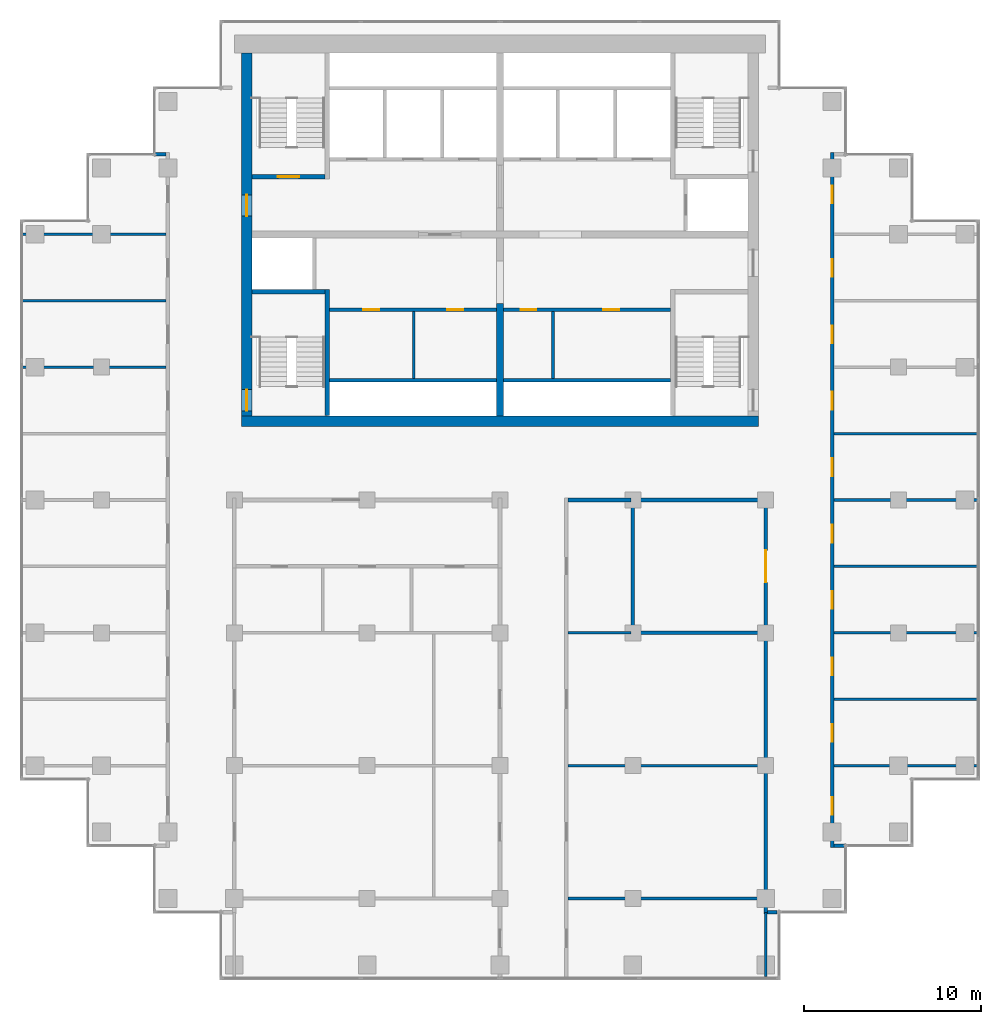
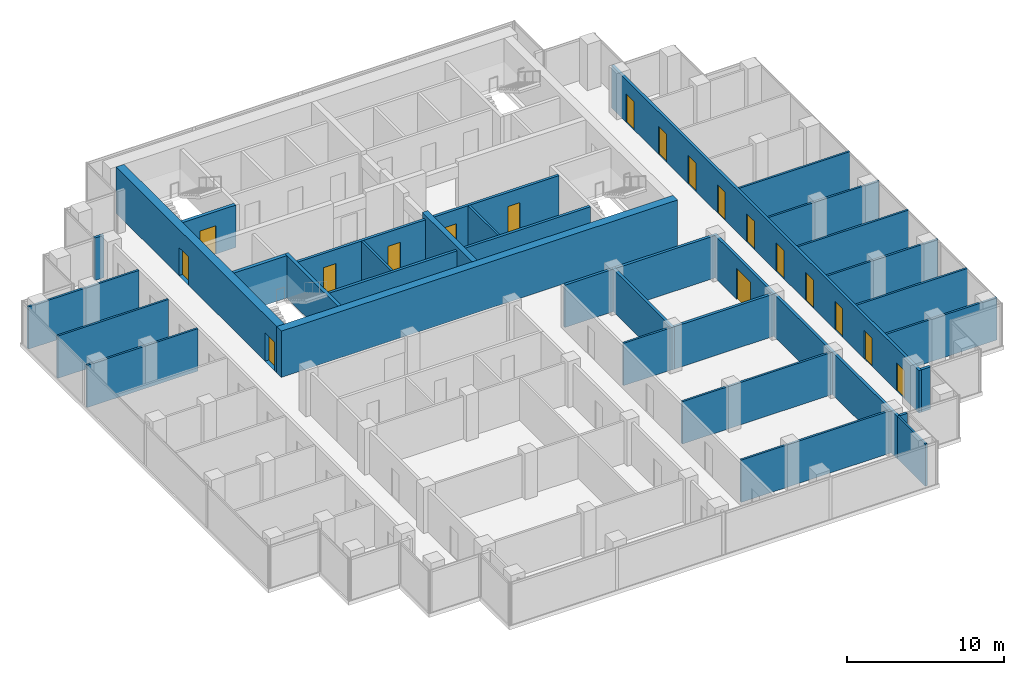
# One storey, part 9 of 12: 35 walls, 18 doors, 18 openings.
"""IFC4 building model written with IfcOpenShell, lengths in metres."""

from ifc_helpers import new_model, si_unit, direction, frame, frame_2d, origin, place, context, subcontext, project, spatial, rectangle, extrude, material, layer, layer_set, type_object, element, fill, save


model = new_model("IFC4")

# Units and contexts
model_context = context("Model", 3, precision=1e-05, world=origin(), true_north=direction((0.0, 1.0)))
body_context = subcontext(model_context, "Body", "Model", "MODEL_VIEW")
ifc_project = project(units=[si_unit("LENGTHUNIT", "METRE"), si_unit("AREAUNIT", "SQUARE_METRE"), si_unit("VOLUMEUNIT", "CUBIC_METRE"), si_unit("PLANEANGLEUNIT", "RADIAN"), si_unit("MASSUNIT", "GRAM", prefix="KILO")], contexts=[model_context])

# Site, building, storey
site_placement = place(None, origin())
site = spatial("IfcSite", under=ifc_project, at=site_placement, CompositionType="ELEMENT")
building_placement = place(site_placement, origin())
building = spatial("IfcBuilding", under=site, at=building_placement, Name="Pilkhan Gate Tower", CompositionType="ELEMENT")
storey_placement = place(building_placement, frame((0.0, 0.0, 188.699951171875)))
storey = spatial("IfcBuildingStorey", under=building, at=storey_placement, Name="L48", CompositionType="ELEMENT", Elevation=188.699951171875)

# Wall
ifc_material_1 = material(Name="Concrete C50/60", Category="concrete")
ifc_layer_1 = layer(ifc_material_1, 0.60009765625)
ifc_layer_set_1 = layer_set([ifc_layer_1], Name="Core wall CW600 C50/60")
wall_type_1 = type_object("IfcWallType", Name="Core wall CW600 C50/60", PredefinedType="SHEAR", material=ifc_layer_set_1)
wall_1_placement = place(storey_placement, frame((60.39990234375, 71.949951171875, 0.0), z_axis=(0.0, 0.0, 1.0), x_axis=(1.0, 0.0, 0.0)))
element("IfcWall", 1, at=wall_1_placement, inside=storey, type_object=wall_type_1, Name="Core wall S L48", PredefinedType="SHEAR", context=body_context, shape_type="SweptSolid", body=[
    extrude(rectangle(XDim=29.2001953125, YDim=0.60009765625, at=frame_2d((14.60009765625, 0.0))), origin(), (0.0, 0.0, 1.0), 3.60009765625),
])

# Wall, openings, doors
wall_2_placement = place(storey_placement, frame((60.699951171875, 92.75, 0.0), z_axis=(0.0, 0.0, 1.0), x_axis=(0.0, -1.0, 0.0)))
wall_2 = element("IfcWall", 2, at=wall_2_placement, inside=storey, type_object=wall_type_1, Name="Core wall W L48", PredefinedType="SHEAR", context=body_context, shape_type="SweptSolid", body=[
    extrude(rectangle(XDim=20.5, YDim=0.60009765625, at=frame_2d((10.25, 0.0))), origin(), (0.0, 0.0, 1.0), 3.60009765625),
])
opening_1_placement = place(wall_2_placement, frame((19.02490234375, 0.0, 0.0)))
opening_1 = element("IfcOpeningElement", 3, at=opening_1_placement, cuts=wall_2, Name="Opening L48-04", PredefinedType="OPENING", context=body_context, shape_type="SweptSolid", body=[
    extrude(rectangle(XDim=1.199951171875, YDim=2.199951171875, at=frame_2d((0.60009765625, 1.10009765625))), frame((0.0, 0.31005859375, 0.0), z_axis=(0.0, -1.0, 0.0), x_axis=(1.0, 0.0, 0.0)), (0.0, 0.0, 1.0), 0.6201171875),
])
opening_2_placement = place(wall_2_placement, frame((8.02490234375, 0.0, 0.0)))
opening_2 = element("IfcOpeningElement", 4, at=opening_2_placement, cuts=wall_2, Name="Opening L48-07", PredefinedType="OPENING", context=body_context, shape_type="SweptSolid", body=[
    extrude(rectangle(XDim=1.199951171875, YDim=2.199951171875, at=frame_2d((0.60009765625, 1.10009765625))), frame((0.0, 0.31005859375, 0.0), z_axis=(0.0, -1.0, 0.0), x_axis=(1.0, 0.0, 0.0)), (0.0, 0.0, 1.0), 0.6201171875),
])
ifc_material_2 = material(Name="Steel door, 120 minute fire resisting, self-closing", Category="steel")
door_type_1 = type_object("IfcDoorType", Name="Firefighting lobby door D10 1200x2200", OperationType="SINGLE_SWING_LEFT", PredefinedType="DOOR", material=ifc_material_2)
door_1_placement = place(opening_2_placement, origin())
door_1 = element("IfcDoor", 5, at=door_1_placement, inside=storey, type_object=door_type_1, Name="Core door", OperationType="SINGLE_SWING_RIGHT", OverallHeight=2.199951171875, OverallWidth=1.199951171875, PredefinedType="DOOR", context=body_context, shape_type="SweptSolid", body=[
    extrude(rectangle(XDim=1.199951171875, YDim=2.199951171875, at=frame_2d((0.60009765625, 1.10009765625))), frame((0.0, 0.02490234375, 0.0), z_axis=(0.0, -1.0, 0.0), x_axis=(1.0, 0.0, 0.0)), (0.0, 0.0, 1.0), 0.050048828125),
])
fill(opening_2, door_1)
ifc_material_3 = material(Name="Steel door, 120 minute fire resisting, panic bar", Category="steel")
door_type_2 = type_object("IfcDoorType", Name="Stair door D11 1200x2200", OperationType="SINGLE_SWING_LEFT", PredefinedType="DOOR", material=ifc_material_3)
door_2_placement = place(opening_1_placement, origin())
door_2 = element("IfcDoor", 6, at=door_2_placement, inside=storey, type_object=door_type_2, Name="Stair ST2 door", OperationType="SINGLE_SWING_LEFT", OverallHeight=2.199951171875, OverallWidth=1.199951171875, PredefinedType="DOOR", context=body_context, shape_type="SweptSolid", body=[
    extrude(rectangle(XDim=1.199951171875, YDim=2.199951171875, at=frame_2d((0.60009765625, 1.10009765625))), frame((0.0, 0.02490234375, 0.0), z_axis=(0.0, -1.0, 0.0), x_axis=(1.0, 0.0, 0.0)), (0.0, 0.0, 1.0), 0.050048828125),
])
fill(opening_1, door_2)

# Walls
ifc_material_4 = material(Name="Dense blockwork", Category="masonry")
ifc_layer_2 = layer(ifc_material_4, 0.199951171875)
ifc_layer_set_2 = layer_set([ifc_layer_2], Name="Corridor wall FW200")
wall_type_2 = type_object("IfcWallType", Name="Corridor wall FW200", PredefinedType="PARTITIONING", material=ifc_layer_set_2)
wall_3_placement = place(storey_placement, frame((90.10009765625, 44.235107421875, 0.0), z_axis=(0.0, 0.0, 1.0), x_axis=(1.0, 0.0, 0.0)))
element("IfcWall", 7, at=wall_3_placement, inside=storey, type_object=wall_type_2, Name="Partition L48", PredefinedType="PARTITIONING", context=body_context, shape_type="SweptSolid", body=[
    extrude(rectangle(XDim=0.544921875, YDim=0.199951171875, at=frame_2d((0.2724609375, 0.0))), origin(), (0.0, 0.0, 1.0), 3.300048828125),
])
wall_4_placement = place(storey_placement, frame((93.85009765625, 47.969970703125, 0.0), z_axis=(0.0, 0.0, 1.0), x_axis=(1.0, 0.0, 0.0)))
element("IfcWall", 8, at=wall_4_placement, inside=storey, type_object=wall_type_2, Name="Partition L48", PredefinedType="PARTITIONING", context=body_context, shape_type="SweptSolid", body=[
    extrude(rectangle(XDim=0.664794921875, YDim=0.199951171875, at=frame_2d((0.33251953125, 0.0))), origin(), (0.0, 0.0, 1.0), 3.300048828125),
])
wall_5_placement = place(storey_placement, frame((78.85009765625, 67.5, 0.0), z_axis=(0.0, 0.0, 1.0), x_axis=(1.0, 0.0, 0.0)))
element("IfcWall", 9, at=wall_5_placement, inside=storey, type_object=wall_type_2, Name="Partition L48", PredefinedType="PARTITIONING", context=body_context, shape_type="SweptSolid", body=[
    extrude(rectangle(XDim=3.5498046875, YDim=0.199951171875, at=frame_2d((1.77490234375, 0.0))), origin(), (0.0, 0.0, 1.0), 3.300048828125),
])
wall_6_placement = place(storey_placement, frame((55.485107421875, 87.030029296875, 0.0), z_axis=(0.0, 0.0, 1.0), x_axis=(1.0, 0.0, 0.0)))
element("IfcWall", 10, at=wall_6_placement, inside=storey, type_object=wall_type_2, Name="Partition L48", PredefinedType="PARTITIONING", context=body_context, shape_type="SweptSolid", body=[
    extrude(rectangle(XDim=0.664794921875, YDim=0.199951171875, at=frame_2d((0.33251953125, 0.0))), origin(), (0.0, 0.0, 1.0), 3.300048828125),
])
wall_7_placement = place(storey_placement, frame((90.0, 44.135009765625, 0.0), z_axis=(0.0, 0.0, 1.0), x_axis=(0.0, 1.0, 0.0)))
element("IfcWall", 11, at=wall_7_placement, inside=storey, type_object=wall_type_2, Name="Partition L48", PredefinedType="PARTITIONING", context=body_context, shape_type="SweptSolid", body=[
    extrude(rectangle(XDim=15.864990234375, YDim=0.199951171875, at=frame_2d((7.9326171875, 0.0))), origin(), (0.0, 0.0, 1.0), 3.300048828125),
])

# Wall, openings, doors
wall_8_placement = place(storey_placement, frame((93.75, 47.8701171875, 0.0), z_axis=(0.0, 0.0, 1.0), x_axis=(0.0, 1.0, 0.0)))
wall_8 = element("IfcWall", 12, at=wall_8_placement, inside=storey, type_object=wall_type_2, Name="Partition L48", PredefinedType="PARTITIONING", context=body_context, shape_type="SweptSolid", body=[
    extrude(rectangle(XDim=39.259765625, YDim=0.199951171875, at=frame_2d((19.6298828125, 0.0))), origin(), (0.0, 0.0, 1.0), 3.300048828125),
])
opening_3_placement = place(wall_8_placement, frame((1.85009765625, 0.0, 0.0)))
opening_3 = element("IfcOpeningElement", 13, at=opening_3_placement, cuts=wall_8, Name="Opening L48-33", PredefinedType="OPENING", context=body_context, shape_type="SweptSolid", body=[
    extrude(rectangle(XDim=1.0, YDim=2.199951171875, at=frame_2d((0.5, 1.10009765625))), frame((0.0, 0.10986328125, 0.0), z_axis=(0.0, -1.0, 0.0), x_axis=(1.0, 0.0, 0.0)), (0.0, 0.0, 1.0), 0.219970703125),
])
opening_4_placement = place(wall_8_placement, frame((5.97998046875, 0.0, 0.0)))
opening_4 = element("IfcOpeningElement", 14, at=opening_4_placement, cuts=wall_8, Name="Opening L48-34", PredefinedType="OPENING", context=body_context, shape_type="SweptSolid", body=[
    extrude(rectangle(XDim=1.0, YDim=2.199951171875, at=frame_2d((0.5, 1.10009765625))), frame((0.0, 0.10986328125, 0.0), z_axis=(0.0, -1.0, 0.0), x_axis=(1.0, 0.0, 0.0)), (0.0, 0.0, 1.0), 0.219970703125),
])
opening_5_placement = place(wall_8_placement, frame((9.72998046875, 0.0, 0.0)))
opening_5 = element("IfcOpeningElement", 15, at=opening_5_placement, cuts=wall_8, Name="Opening L48-35", PredefinedType="OPENING", context=body_context, shape_type="SweptSolid", body=[
    extrude(rectangle(XDim=1.0, YDim=2.199951171875, at=frame_2d((0.5, 1.10009765625))), frame((0.0, 0.10986328125, 0.0), z_axis=(0.0, -1.0, 0.0), x_axis=(1.0, 0.0, 0.0)), (0.0, 0.0, 1.0), 0.219970703125),
])
opening_6_placement = place(wall_8_placement, frame((13.47998046875, 0.0, 0.0)))
opening_6 = element("IfcOpeningElement", 16, at=opening_6_placement, cuts=wall_8, Name="Opening L48-36", PredefinedType="OPENING", context=body_context, shape_type="SweptSolid", body=[
    extrude(rectangle(XDim=1.0, YDim=2.199951171875, at=frame_2d((0.5, 1.10009765625))), frame((0.0, 0.10986328125, 0.0), z_axis=(0.0, -1.0, 0.0), x_axis=(1.0, 0.0, 0.0)), (0.0, 0.0, 1.0), 0.219970703125),
])
opening_7_placement = place(wall_8_placement, frame((17.22998046875, 0.0, 0.0)))
opening_7 = element("IfcOpeningElement", 17, at=opening_7_placement, cuts=wall_8, Name="Opening L48-37", PredefinedType="OPENING", context=body_context, shape_type="SweptSolid", body=[
    extrude(rectangle(XDim=1.0, YDim=2.199951171875, at=frame_2d((0.5, 1.10009765625))), frame((0.0, 0.10986328125, 0.0), z_axis=(0.0, -1.0, 0.0), x_axis=(1.0, 0.0, 0.0)), (0.0, 0.0, 1.0), 0.219970703125),
])
opening_8_placement = place(wall_8_placement, frame((20.97998046875, 0.0, 0.0)))
opening_8 = element("IfcOpeningElement", 18, at=opening_8_placement, cuts=wall_8, Name="Opening L48-38", PredefinedType="OPENING", context=body_context, shape_type="SweptSolid", body=[
    extrude(rectangle(XDim=1.0, YDim=2.199951171875, at=frame_2d((0.5, 1.10009765625))), frame((0.0, 0.10986328125, 0.0), z_axis=(0.0, -1.0, 0.0), x_axis=(1.0, 0.0, 0.0)), (0.0, 0.0, 1.0), 0.219970703125),
])
opening_9_placement = place(wall_8_placement, frame((24.72998046875, 0.0, 0.0)))
opening_9 = element("IfcOpeningElement", 19, at=opening_9_placement, cuts=wall_8, Name="Opening L48-39", PredefinedType="OPENING", context=body_context, shape_type="SweptSolid", body=[
    extrude(rectangle(XDim=1.0, YDim=2.199951171875, at=frame_2d((0.5, 1.10009765625))), frame((0.0, 0.10986328125, 0.0), z_axis=(0.0, -1.0, 0.0), x_axis=(1.0, 0.0, 0.0)), (0.0, 0.0, 1.0), 0.219970703125),
])
opening_10_placement = place(wall_8_placement, frame((28.47998046875, 0.0, 0.0)))
opening_10 = element("IfcOpeningElement", 20, at=opening_10_placement, cuts=wall_8, Name="Opening L48-43", PredefinedType="OPENING", context=body_context, shape_type="SweptSolid", body=[
    extrude(rectangle(XDim=1.0, YDim=2.199951171875, at=frame_2d((0.5, 1.10009765625))), frame((0.0, 0.10986328125, 0.0), z_axis=(0.0, -1.0, 0.0), x_axis=(1.0, 0.0, 0.0)), (0.0, 0.0, 1.0), 0.219970703125),
])
opening_11_placement = place(wall_8_placement, frame((32.22998046875, 0.0, 0.0)))
opening_11 = element("IfcOpeningElement", 21, at=opening_11_placement, cuts=wall_8, Name="Opening L48-44", PredefinedType="OPENING", context=body_context, shape_type="SweptSolid", body=[
    extrude(rectangle(XDim=1.0, YDim=2.199951171875, at=frame_2d((0.5, 1.10009765625))), frame((0.0, 0.10986328125, 0.0), z_axis=(0.0, -1.0, 0.0), x_axis=(1.0, 0.0, 0.0)), (0.0, 0.0, 1.0), 0.219970703125),
])
opening_12_placement = place(wall_8_placement, frame((36.3798828125, 0.0, 0.0)))
opening_12 = element("IfcOpeningElement", 22, at=opening_12_placement, cuts=wall_8, Name="Opening L48-45", PredefinedType="OPENING", context=body_context, shape_type="SweptSolid", body=[
    extrude(rectangle(XDim=1.0, YDim=2.199951171875, at=frame_2d((0.5, 1.10009765625))), frame((0.0, 0.10986328125, 0.0), z_axis=(0.0, -1.0, 0.0), x_axis=(1.0, 0.0, 0.0)), (0.0, 0.0, 1.0), 0.219970703125),
])
ifc_material_5 = material(Name="Timber flush door, 30 minute fire resisting", Category="wood")
door_type_3 = type_object("IfcDoorType", Name="Room door D03 1000x2200", OperationType="SINGLE_SWING_LEFT", PredefinedType="DOOR", material=ifc_material_5)
door_3_placement = place(opening_3_placement, origin())
door_3 = element("IfcDoor", 23, at=door_3_placement, inside=storey, type_object=door_type_3, Name="Room door", OperationType="SINGLE_SWING_LEFT", OverallHeight=2.199951171875, OverallWidth=1.0, PredefinedType="DOOR", context=body_context, shape_type="SweptSolid", body=[
    extrude(rectangle(XDim=1.0, YDim=2.199951171875, at=frame_2d((0.5, 1.10009765625))), frame((0.0, 0.02490234375, 0.0), z_axis=(0.0, -1.0, 0.0), x_axis=(1.0, 0.0, 0.0)), (0.0, 0.0, 1.0), 0.050048828125),
])
fill(opening_3, door_3)
door_4_placement = place(opening_4_placement, origin())
door_4 = element("IfcDoor", 24, at=door_4_placement, inside=storey, type_object=door_type_3, Name="Room door", OperationType="SINGLE_SWING_RIGHT", OverallHeight=2.199951171875, OverallWidth=1.0, PredefinedType="DOOR", context=body_context, shape_type="SweptSolid", body=[
    extrude(rectangle(XDim=1.0, YDim=2.199951171875, at=frame_2d((0.5, 1.10009765625))), frame((0.0, 0.02490234375, 0.0), z_axis=(0.0, -1.0, 0.0), x_axis=(1.0, 0.0, 0.0)), (0.0, 0.0, 1.0), 0.050048828125),
])
fill(opening_4, door_4)
door_5_placement = place(opening_5_placement, origin())
door_5 = element("IfcDoor", 25, at=door_5_placement, inside=storey, type_object=door_type_3, Name="Room door", OperationType="SINGLE_SWING_RIGHT", OverallHeight=2.199951171875, OverallWidth=1.0, PredefinedType="DOOR", context=body_context, shape_type="SweptSolid", body=[
    extrude(rectangle(XDim=1.0, YDim=2.199951171875, at=frame_2d((0.5, 1.10009765625))), frame((0.0, 0.02490234375, 0.0), z_axis=(0.0, -1.0, 0.0), x_axis=(1.0, 0.0, 0.0)), (0.0, 0.0, 1.0), 0.050048828125),
])
fill(opening_5, door_5)
door_6_placement = place(opening_6_placement, origin())
door_6 = element("IfcDoor", 26, at=door_6_placement, inside=storey, type_object=door_type_3, Name="Room door", OperationType="SINGLE_SWING_LEFT", OverallHeight=2.199951171875, OverallWidth=1.0, PredefinedType="DOOR", context=body_context, shape_type="SweptSolid", body=[
    extrude(rectangle(XDim=1.0, YDim=2.199951171875, at=frame_2d((0.5, 1.10009765625))), frame((0.0, 0.02490234375, 0.0), z_axis=(0.0, -1.0, 0.0), x_axis=(1.0, 0.0, 0.0)), (0.0, 0.0, 1.0), 0.050048828125),
])
fill(opening_6, door_6)
door_7_placement = place(opening_7_placement, origin())
door_7 = element("IfcDoor", 27, at=door_7_placement, inside=storey, type_object=door_type_3, Name="Room door", OperationType="SINGLE_SWING_LEFT", OverallHeight=2.199951171875, OverallWidth=1.0, PredefinedType="DOOR", context=body_context, shape_type="SweptSolid", body=[
    extrude(rectangle(XDim=1.0, YDim=2.199951171875, at=frame_2d((0.5, 1.10009765625))), frame((0.0, 0.02490234375, 0.0), z_axis=(0.0, -1.0, 0.0), x_axis=(1.0, 0.0, 0.0)), (0.0, 0.0, 1.0), 0.050048828125),
])
fill(opening_7, door_7)
door_8_placement = place(opening_8_placement, origin())
door_8 = element("IfcDoor", 28, at=door_8_placement, inside=storey, type_object=door_type_3, Name="Room door", OperationType="SINGLE_SWING_RIGHT", OverallHeight=2.199951171875, OverallWidth=1.0, PredefinedType="DOOR", context=body_context, shape_type="SweptSolid", body=[
    extrude(rectangle(XDim=1.0, YDim=2.199951171875, at=frame_2d((0.5, 1.10009765625))), frame((0.0, 0.02490234375, 0.0), z_axis=(0.0, -1.0, 0.0), x_axis=(1.0, 0.0, 0.0)), (0.0, 0.0, 1.0), 0.050048828125),
])
fill(opening_8, door_8)
door_9_placement = place(opening_9_placement, origin())
door_9 = element("IfcDoor", 29, at=door_9_placement, inside=storey, type_object=door_type_3, Name="Room door", OperationType="SINGLE_SWING_LEFT", OverallHeight=2.199951171875, OverallWidth=1.0, PredefinedType="DOOR", context=body_context, shape_type="SweptSolid", body=[
    extrude(rectangle(XDim=1.0, YDim=2.199951171875, at=frame_2d((0.5, 1.10009765625))), frame((0.0, 0.02490234375, 0.0), z_axis=(0.0, -1.0, 0.0), x_axis=(1.0, 0.0, 0.0)), (0.0, 0.0, 1.0), 0.050048828125),
])
fill(opening_9, door_9)
door_10_placement = place(opening_10_placement, origin())
door_10 = element("IfcDoor", 30, at=door_10_placement, inside=storey, type_object=door_type_3, Name="Room door", OperationType="SINGLE_SWING_RIGHT", OverallHeight=2.199951171875, OverallWidth=1.0, PredefinedType="DOOR", context=body_context, shape_type="SweptSolid", body=[
    extrude(rectangle(XDim=1.0, YDim=2.199951171875, at=frame_2d((0.5, 1.10009765625))), frame((0.0, 0.02490234375, 0.0), z_axis=(0.0, -1.0, 0.0), x_axis=(1.0, 0.0, 0.0)), (0.0, 0.0, 1.0), 0.050048828125),
])
fill(opening_10, door_10)
door_11_placement = place(opening_11_placement, origin())
door_11 = element("IfcDoor", 31, at=door_11_placement, inside=storey, type_object=door_type_3, Name="Room door", OperationType="SINGLE_SWING_LEFT", OverallHeight=2.199951171875, OverallWidth=1.0, PredefinedType="DOOR", context=body_context, shape_type="SweptSolid", body=[
    extrude(rectangle(XDim=1.0, YDim=2.199951171875, at=frame_2d((0.5, 1.10009765625))), frame((0.0, 0.02490234375, 0.0), z_axis=(0.0, -1.0, 0.0), x_axis=(1.0, 0.0, 0.0)), (0.0, 0.0, 1.0), 0.050048828125),
])
fill(opening_11, door_11)
door_12_placement = place(opening_12_placement, origin())
door_12 = element("IfcDoor", 32, at=door_12_placement, inside=storey, type_object=door_type_3, Name="Room door", OperationType="SINGLE_SWING_LEFT", OverallHeight=2.199951171875, OverallWidth=1.0, PredefinedType="DOOR", context=body_context, shape_type="SweptSolid", body=[
    extrude(rectangle(XDim=1.0, YDim=2.199951171875, at=frame_2d((0.5, 1.10009765625))), frame((0.0, 0.02490234375, 0.0), z_axis=(0.0, -1.0, 0.0), x_axis=(1.0, 0.0, 0.0)), (0.0, 0.0, 1.0), 0.050048828125),
])
fill(opening_12, door_12)

# Walls
ifc_layer_3 = layer(ifc_material_4, 0.199951171875)
ifc_layer_set_3 = layer_set([ifc_layer_3], Name="Lobby wall LW200")
wall_type_3 = type_object("IfcWallType", Name="Lobby wall LW200", PredefinedType="PARTITIONING", material=ifc_layer_set_3)
for number, where, z_axis, x_axis, name in (
    (33, (82.60009765625, 60.0, 0.0), (0.0, 0.0, 1.0), (1.0, 0.0, 0.0), "Partition L48"),
    (34, (82.60009765625, 67.5, 0.0), (0.0, 0.0, 1.0), (1.0, 0.0, 0.0), "Partition L48"),
):
    element("IfcWall", number, at=place(storey_placement, frame(where, z_axis=z_axis, x_axis=x_axis)), inside=storey, type_object=wall_type_3, Name=name, PredefinedType="PARTITIONING", context=body_context, shape_type="SweptSolid", body=[
        extrude(rectangle(XDim=7.2998046875, YDim=0.199951171875, at=frame_2d((3.64990234375, 0.0))), origin(), (0.0, 0.0, 1.0), 3.300048828125),
    ])
for number, where, z_axis, x_axis, name in (
    (35, (65.375, 74.25, 0.0), (0.0, 0.0, 1.0), (1.0, 0.0, 0.0), "Partition L48"),
    (36, (75.2099609375, 74.25, 0.0), (0.0, 0.0, 1.0), (1.0, 0.0, 0.0), "Partition L48"),
):
    element("IfcWall", number, at=place(storey_placement, frame(where, z_axis=z_axis, x_axis=x_axis)), inside=storey, type_object=wall_type_3, Name=name, PredefinedType="PARTITIONING", context=body_context, shape_type="SweptSolid", body=[
        extrude(rectangle(XDim=9.4150390625, YDim=0.199951171875, at=frame_2d((4.70751953125, 0.0))), origin(), (0.0, 0.0, 1.0), 3.300048828125),
    ])

# Wall, openings, doors
wall_9_placement = place(storey_placement, frame((65.375, 78.25, 0.0), z_axis=(0.0, 0.0, 1.0), x_axis=(1.0, 0.0, 0.0)))
wall_9 = element("IfcWall", 37, at=wall_9_placement, inside=storey, type_object=wall_type_3, Name="Partition L48", PredefinedType="PARTITIONING", context=body_context, shape_type="SweptSolid", body=[
    extrude(rectangle(XDim=9.4150390625, YDim=0.199951171875, at=frame_2d((4.70751953125, 0.0))), origin(), (0.0, 0.0, 1.0), 3.300048828125),
])
opening_13_placement = place(wall_9_placement, frame((1.89990234375, 0.0, 0.0)))
opening_13 = element("IfcOpeningElement", 38, at=opening_13_placement, cuts=wall_9, Name="Opening L48-08", PredefinedType="OPENING", context=body_context, shape_type="SweptSolid", body=[
    extrude(rectangle(XDim=0.89990234375, YDim=2.199951171875, at=frame_2d((0.449951171875, 1.10009765625))), frame((0.0, 0.10986328125, 0.0), z_axis=(0.0, -1.0, 0.0), x_axis=(1.0, 0.0, 0.0)), (0.0, 0.0, 1.0), 0.219970703125),
])
opening_14_placement = place(wall_9_placement, frame((6.64990234375, 0.0, 0.0)))
opening_14 = element("IfcOpeningElement", 39, at=opening_14_placement, cuts=wall_9, Name="Opening L48-09", PredefinedType="OPENING", context=body_context, shape_type="SweptSolid", body=[
    extrude(rectangle(XDim=0.89990234375, YDim=2.199951171875, at=frame_2d((0.449951171875, 1.10009765625))), frame((0.0, 0.10986328125, 0.0), z_axis=(0.0, -1.0, 0.0), x_axis=(1.0, 0.0, 0.0)), (0.0, 0.0, 1.0), 0.219970703125),
])
ifc_material_6 = material(Name="Timber flush door, 60 minute fire resisting, self-closing", Category="wood")
door_type_4 = type_object("IfcDoorType", Name="Store door D05 900x2200", OperationType="SINGLE_SWING_LEFT", PredefinedType="DOOR", material=ifc_material_6)
door_13_placement = place(opening_13_placement, origin())
door_13 = element("IfcDoor", 40, at=door_13_placement, inside=storey, type_object=door_type_4, Name="Store door", OperationType="SINGLE_SWING_RIGHT", OverallHeight=2.199951171875, OverallWidth=0.89990234375, PredefinedType="DOOR", context=body_context, shape_type="SweptSolid", body=[
    extrude(rectangle(XDim=0.89990234375, YDim=2.199951171875, at=frame_2d((0.449951171875, 1.10009765625))), frame((0.0, 0.02490234375, 0.0), z_axis=(0.0, -1.0, 0.0), x_axis=(1.0, 0.0, 0.0)), (0.0, 0.0, 1.0), 0.050048828125),
])
fill(opening_13, door_13)
door_14_placement = place(opening_14_placement, origin())
door_14 = element("IfcDoor", 41, at=door_14_placement, inside=storey, type_object=door_type_4, Name="Store door", OperationType="SINGLE_SWING_LEFT", OverallHeight=2.199951171875, OverallWidth=0.89990234375, PredefinedType="DOOR", context=body_context, shape_type="SweptSolid", body=[
    extrude(rectangle(XDim=0.89990234375, YDim=2.199951171875, at=frame_2d((0.449951171875, 1.10009765625))), frame((0.0, 0.02490234375, 0.0), z_axis=(0.0, -1.0, 0.0), x_axis=(1.0, 0.0, 0.0)), (0.0, 0.0, 1.0), 0.050048828125),
])
fill(opening_14, door_14)

wall_10_placement = place(storey_placement, frame((75.2099609375, 78.25, 0.0), z_axis=(0.0, 0.0, 1.0), x_axis=(1.0, 0.0, 0.0)))
wall_10 = element("IfcWall", 42, at=wall_10_placement, inside=storey, type_object=wall_type_3, Name="Partition L48", PredefinedType="PARTITIONING", context=body_context, shape_type="SweptSolid", body=[
    extrude(rectangle(XDim=9.4150390625, YDim=0.199951171875, at=frame_2d((4.70751953125, 0.0))), origin(), (0.0, 0.0, 1.0), 3.300048828125),
])
opening_15_placement = place(wall_10_placement, frame((0.949951171875, 0.0, 0.0)))
opening_15 = element("IfcOpeningElement", 43, at=opening_15_placement, cuts=wall_10, Name="Opening L48-10", PredefinedType="OPENING", context=body_context, shape_type="SweptSolid", body=[
    extrude(rectangle(XDim=0.89990234375, YDim=2.199951171875, at=frame_2d((0.449951171875, 1.10009765625))), frame((0.0, 0.10986328125, 0.0), z_axis=(0.0, -1.0, 0.0), x_axis=(1.0, 0.0, 0.0)), (0.0, 0.0, 1.0), 0.219970703125),
])
opening_16_placement = place(wall_10_placement, frame((5.6298828125, 0.0, 0.0)))
opening_16 = element("IfcOpeningElement", 44, at=opening_16_placement, cuts=wall_10, Name="Opening L48-11", PredefinedType="OPENING", context=body_context, shape_type="SweptSolid", body=[
    extrude(rectangle(XDim=0.89990234375, YDim=2.199951171875, at=frame_2d((0.449951171875, 1.10009765625))), frame((0.0, 0.10986328125, 0.0), z_axis=(0.0, -1.0, 0.0), x_axis=(1.0, 0.0, 0.0)), (0.0, 0.0, 1.0), 0.219970703125),
])
door_15_placement = place(opening_15_placement, origin())
door_15 = element("IfcDoor", 45, at=door_15_placement, inside=storey, type_object=door_type_4, Name="Store door", OperationType="SINGLE_SWING_LEFT", OverallHeight=2.199951171875, OverallWidth=0.89990234375, PredefinedType="DOOR", context=body_context, shape_type="SweptSolid", body=[
    extrude(rectangle(XDim=0.89990234375, YDim=2.199951171875, at=frame_2d((0.449951171875, 1.10009765625))), frame((0.0, 0.02490234375, 0.0), z_axis=(0.0, -1.0, 0.0), x_axis=(1.0, 0.0, 0.0)), (0.0, 0.0, 1.0), 0.050048828125),
])
fill(opening_15, door_15)
door_16_placement = place(opening_16_placement, origin())
door_16 = element("IfcDoor", 46, at=door_16_placement, inside=storey, type_object=door_type_4, Name="Store door", OperationType="SINGLE_SWING_LEFT", OverallHeight=2.199951171875, OverallWidth=0.89990234375, PredefinedType="DOOR", context=body_context, shape_type="SweptSolid", body=[
    extrude(rectangle(XDim=0.89990234375, YDim=2.199951171875, at=frame_2d((0.449951171875, 1.10009765625))), frame((0.0, 0.02490234375, 0.0), z_axis=(0.0, -1.0, 0.0), x_axis=(1.0, 0.0, 0.0)), (0.0, 0.0, 1.0), 0.050048828125),
])
fill(opening_16, door_16)

# Wall
wall_11_placement = place(storey_placement, frame((82.5, 59.89990234375, 0.0), z_axis=(0.0, 0.0, 1.0), x_axis=(0.0, 1.0, 0.0)))
element("IfcWall", 47, at=wall_11_placement, inside=storey, type_object=wall_type_3, Name="Partition L48", PredefinedType="PARTITIONING", context=body_context, shape_type="SweptSolid", body=[
    extrude(rectangle(XDim=7.7001953125, YDim=0.199951171875, at=frame_2d((3.85009765625, 0.0))), origin(), (0.0, 0.0, 1.0), 3.300048828125),
])

# Wall, opening, door
wall_12_placement = place(storey_placement, frame((90.0, 59.89990234375, 0.0), z_axis=(0.0, 0.0, 1.0), x_axis=(0.0, 1.0, 0.0)))
wall_12 = element("IfcWall", 48, at=wall_12_placement, inside=storey, type_object=wall_type_3, Name="Partition L48", PredefinedType="PARTITIONING", context=body_context, shape_type="SweptSolid", body=[
    extrude(rectangle(XDim=7.7001953125, YDim=0.199951171875, at=frame_2d((3.85009765625, 0.0))), origin(), (0.0, 0.0, 1.0), 3.300048828125),
])
opening_17_placement = place(wall_12_placement, frame((2.949951171875, 0.0, 0.0)))
opening_17 = element("IfcOpeningElement", 49, at=opening_17_placement, cuts=wall_12, Name="Opening L48-25", PredefinedType="OPENING", context=body_context, shape_type="SweptSolid", body=[
    extrude(rectangle(XDim=1.800048828125, YDim=2.39990234375, at=frame_2d((0.89990234375, 1.199951171875))), frame((0.0, 0.10986328125, 0.0), z_axis=(0.0, -1.0, 0.0), x_axis=(1.0, 0.0, 0.0)), (0.0, 0.0, 1.0), 0.219970703125),
])
ifc_material_7 = material(Name="Steel door, 120 minute fire resisting", Category="steel")
door_type_5 = type_object("IfcDoorType", Name="Plant room door D08 1800x2400", OperationType="DOUBLE_DOOR_SINGLE_SWING", PredefinedType="DOOR", material=ifc_material_7)
door_17_placement = place(opening_17_placement, origin())
door_17 = element("IfcDoor", 50, at=door_17_placement, inside=storey, type_object=door_type_5, Name="Plant room door", OperationType="DOUBLE_DOOR_SINGLE_SWING", OverallHeight=2.39990234375, OverallWidth=1.800048828125, PredefinedType="DOOR", context=body_context, shape_type="SweptSolid", body=[
    extrude(rectangle(XDim=1.800048828125, YDim=2.39990234375, at=frame_2d((0.89990234375, 1.199951171875))), frame((0.0, 0.02490234375, 0.0), z_axis=(0.0, -1.0, 0.0), x_axis=(1.0, 0.0, 0.0)), (0.0, 0.0, 1.0), 0.050048828125),
])
fill(opening_17, door_17)

# Walls
ifc_material_8 = material(Name="Blockwork partition, plastered both sides", Category="masonry")
ifc_layer_4 = layer(ifc_material_8, 0.14990234375)
ifc_layer_set_4 = layer_set([ifc_layer_4], Name="Partition PW150")
wall_type_4 = type_object("IfcWallType", Name="Partition PW150", PredefinedType="PARTITIONING", material=ifc_layer_set_4)
for number, where, z_axis, x_axis, name in (
    (51, (78.85009765625, 45.0, 0.0), (0.0, 0.0, 1.0), (1.0, 0.0, 0.0), "Partition L48"),
    (52, (78.85009765625, 52.5, 0.0), (0.0, 0.0, 1.0), (1.0, 0.0, 0.0), "Partition L48"),
):
    element("IfcWall", number, at=place(storey_placement, frame(where, z_axis=z_axis, x_axis=x_axis)), inside=storey, type_object=wall_type_4, Name=name, PredefinedType="PARTITIONING", context=body_context, shape_type="SweptSolid", body=[
        extrude(rectangle(XDim=11.0498046875, YDim=0.14990234375, at=frame_2d((5.52490234375, 0.0))), origin(), (0.0, 0.0, 1.0), 3.300048828125),
    ])
for number, where, z_axis, x_axis, name in (
    (53, (93.85009765625, 52.5, 0.0), (0.0, 0.0, 1.0), (1.0, 0.0, 0.0), "Partition L48"),
    (54, (93.85009765625, 56.25, 0.0), (0.0, 0.0, 1.0), (1.0, 0.0, 0.0), "Partition L48"),
):
    element("IfcWall", number, at=place(storey_placement, frame(where, z_axis=z_axis, x_axis=x_axis)), inside=storey, type_object=wall_type_4, Name=name, PredefinedType="PARTITIONING", context=body_context, shape_type="SweptSolid", body=[
        extrude(rectangle(XDim=8.164794921875, YDim=0.14990234375, at=frame_2d((4.08251953125, 0.0))), origin(), (0.0, 0.0, 1.0), 3.300048828125),
    ])
wall_13_placement = place(storey_placement, frame((78.85009765625, 60.0, 0.0), z_axis=(0.0, 0.0, 1.0), x_axis=(1.0, 0.0, 0.0)))
element("IfcWall", 55, at=wall_13_placement, inside=storey, type_object=wall_type_4, Name="Partition L48", PredefinedType="PARTITIONING", context=body_context, shape_type="SweptSolid", body=[
    extrude(rectangle(XDim=3.5498046875, YDim=0.14990234375, at=frame_2d((1.77490234375, 0.0))), origin(), (0.0, 0.0, 1.0), 3.300048828125),
])
for number, where, z_axis, x_axis, name in (
    (56, (93.85009765625, 60.0, 0.0), (0.0, 0.0, 1.0), (1.0, 0.0, 0.0), "Partition L48"),
    (57, (93.85009765625, 63.75, 0.0), (0.0, 0.0, 1.0), (1.0, 0.0, 0.0), "Partition L48"),
    (58, (93.85009765625, 67.5, 0.0), (0.0, 0.0, 1.0), (1.0, 0.0, 0.0), "Partition L48"),
    (59, (93.85009765625, 71.25, 0.0), (0.0, 0.0, 1.0), (1.0, 0.0, 0.0), "Partition L48"),
    (60, (47.985107421875, 75.0, 0.0), (0.0, 0.0, 1.0), (1.0, 0.0, 0.0), "Partition L48"),
    (61, (47.985107421875, 78.75, 0.0), (0.0, 0.0, 1.0), (1.0, 0.0, 0.0), "Partition L48"),
    (62, (47.985107421875, 82.5, 0.0), (0.0, 0.0, 1.0), (1.0, 0.0, 0.0), "Partition L48"),
):
    element("IfcWall", number, at=place(storey_placement, frame(where, z_axis=z_axis, x_axis=x_axis)), inside=storey, type_object=wall_type_4, Name=name, PredefinedType="PARTITIONING", context=body_context, shape_type="SweptSolid", body=[
        extrude(rectangle(XDim=8.164794921875, YDim=0.14990234375, at=frame_2d((4.08251953125, 0.0))), origin(), (0.0, 0.0, 1.0), 3.300048828125),
    ])
for number, where, z_axis, x_axis, name in (
    (63, (70.125, 74.35009765625, 0.0), (0.0, 0.0, 1.0), (0.0, 1.0, 0.0), "Partition L48"),
    (64, (77.989990234375, 74.35009765625, 0.0), (0.0, 0.0, 1.0), (0.0, 1.0, 0.0), "Partition L48"),
):
    element("IfcWall", number, at=place(storey_placement, frame(where, z_axis=z_axis, x_axis=x_axis)), inside=storey, type_object=wall_type_4, Name=name, PredefinedType="PARTITIONING", context=body_context, shape_type="SweptSolid", body=[
        extrude(rectangle(XDim=3.7998046875, YDim=0.14990234375, at=frame_2d((1.89990234375, 0.0))), origin(), (0.0, 0.0, 1.0), 3.300048828125),
    ])
wall_14_placement = place(storey_placement, frame((90.0, 40.60498046875, 0.0), z_axis=(0.0, 0.0, 1.0), x_axis=(0.0, 1.0, 0.0)))
element("IfcWall", 65, at=wall_14_placement, inside=storey, type_object=wall_type_4, Name="Partition L48", PredefinedType="PARTITIONING", context=body_context, shape_type="SweptSolid", body=[
    extrude(rectangle(XDim=3.60009765625, YDim=0.14990234375, at=frame_2d((1.800048828125, 0.0))), origin(), (0.0, 0.0, 1.0), 3.300048828125),
])
ifc_layer_5 = layer(ifc_material_1, 0.39990234375)
ifc_layer_set_5 = layer_set([ifc_layer_5], Name="Spine wall SW400 C50/60")
wall_type_5 = type_object("IfcWallType", Name="Spine wall SW400 C50/60", PredefinedType="SHEAR", material=ifc_layer_set_5)
wall_15_placement = place(storey_placement, frame((75.0, 72.25, 0.0), z_axis=(0.0, 0.0, 1.0), x_axis=(0.0, 1.0, 0.0)))
element("IfcWall", 66, at=wall_15_placement, inside=storey, type_object=wall_type_5, Name="Spine wall SP-NS-S1 L48", PredefinedType="SHEAR", context=body_context, shape_type="SweptSolid", body=[
    extrude(rectangle(XDim=6.35009765625, YDim=0.39990234375, at=frame_2d((3.175048828125, 0.0))), origin(), (0.0, 0.0, 1.0), 3.60009765625),
])
ifc_material_9 = material(Name="Reinforced blockwork, 120 minute fire resisting", Category="masonry")
ifc_layer_6 = layer(ifc_material_9, 0.25)
ifc_layer_set_6 = layer_set([ifc_layer_6], Name="Stair enclosure wall SE250")
wall_type_6 = type_object("IfcWallType", Name="Stair enclosure wall SE250", PredefinedType="PARTITIONING", material=ifc_layer_set_6)
wall_16_placement = place(storey_placement, frame((61.010009765625, 79.25, 0.0), z_axis=(0.0, 0.0, 1.0), x_axis=(1.0, 0.0, 0.0)))
element("IfcWall", 67, at=wall_16_placement, inside=storey, type_object=wall_type_6, Name="Partition L48", PredefinedType="PARTITIONING", context=body_context, shape_type="SweptSolid", body=[
    extrude(rectangle(XDim=4.114990234375, YDim=0.25, at=frame_2d((2.0576171875, 0.0))), origin(), (0.0, 0.0, 1.0), 3.300048828125),
])

# Wall, opening, door
wall_17_placement = place(storey_placement, frame((61.010009765625, 85.75, 0.0), z_axis=(0.0, 0.0, 1.0), x_axis=(1.0, 0.0, 0.0)))
wall_17 = element("IfcWall", 68, at=wall_17_placement, inside=storey, type_object=wall_type_6, Name="Partition L48", PredefinedType="PARTITIONING", context=body_context, shape_type="SweptSolid", body=[
    extrude(rectangle(XDim=4.114990234375, YDim=0.25, at=frame_2d((2.0576171875, 0.0))), origin(), (0.0, 0.0, 1.0), 3.300048828125),
])
opening_18_placement = place(wall_17_placement, frame((1.449951171875, 0.0, 0.0)))
opening_18 = element("IfcOpeningElement", 69, at=opening_18_placement, cuts=wall_17, Name="Opening L48-02", PredefinedType="OPENING", context=body_context, shape_type="SweptSolid", body=[
    extrude(rectangle(XDim=1.199951171875, YDim=2.199951171875, at=frame_2d((0.60009765625, 1.10009765625))), frame((0.0, 0.135009765625, 0.0), z_axis=(0.0, -1.0, 0.0), x_axis=(1.0, 0.0, 0.0)), (0.0, 0.0, 1.0), 0.27001953125),
])
door_18_placement = place(opening_18_placement, origin())
door_18 = element("IfcDoor", 70, at=door_18_placement, inside=storey, type_object=door_type_2, Name="Stair ST3 lobby door", OperationType="SINGLE_SWING_LEFT", OverallHeight=2.199951171875, OverallWidth=1.199951171875, PredefinedType="DOOR", context=body_context, shape_type="SweptSolid", body=[
    extrude(rectangle(XDim=1.199951171875, YDim=2.199951171875, at=frame_2d((0.60009765625, 1.10009765625))), frame((0.0, 0.02490234375, 0.0), z_axis=(0.0, -1.0, 0.0), x_axis=(1.0, 0.0, 0.0)), (0.0, 0.0, 1.0), 0.050048828125),
])
fill(opening_18, door_18)

# Wall
wall_18_placement = place(storey_placement, frame((65.25, 72.260009765625, 0.0), z_axis=(0.0, 0.0, 1.0), x_axis=(0.0, 1.0, 0.0)))
element("IfcWall", 71, at=wall_18_placement, inside=storey, type_object=wall_type_6, Name="Partition L48", PredefinedType="PARTITIONING", context=body_context, shape_type="SweptSolid", body=[
    extrude(rectangle(XDim=7.114990234375, YDim=0.25, at=frame_2d((3.5576171875, 0.0))), origin(), (0.0, 0.0, 1.0), 3.300048828125),
])

save(model, "model.ifc")
